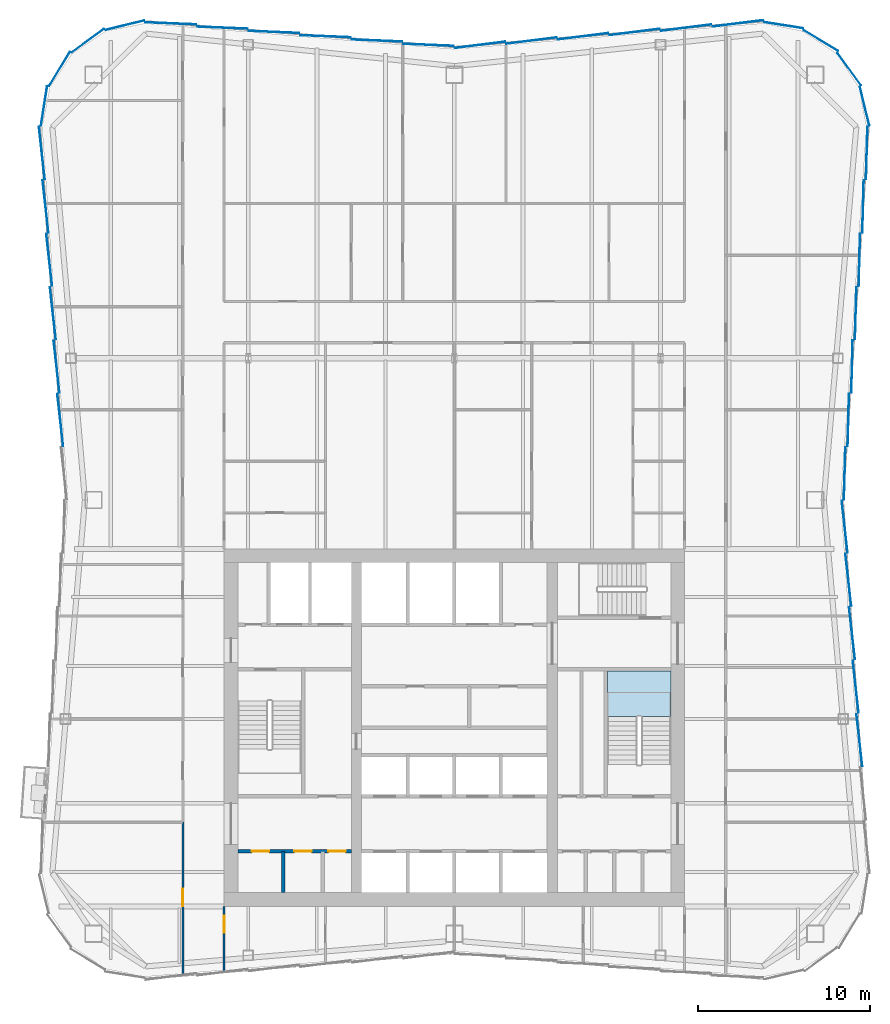
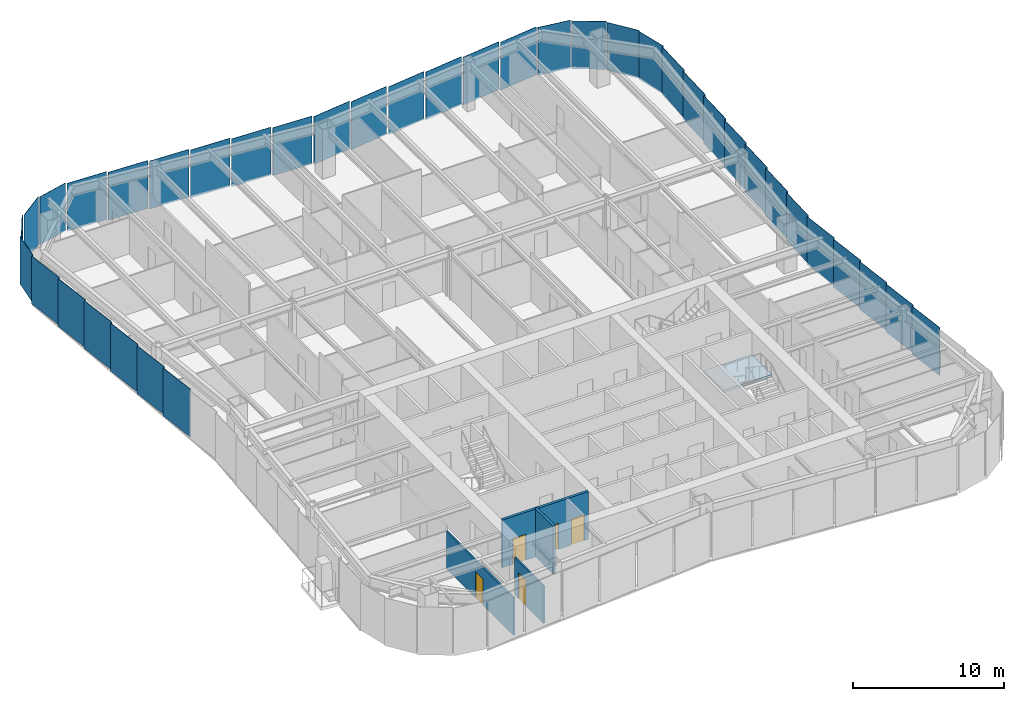
# One storey, part 5 of 12: 38 plates, 5 doors, 4 walls, 1 slab, 5 openings, 6 elements without a shape of their own.
"""IFC4 building model written with IfcOpenShell, lengths in metres."""

from ifc_helpers import new_model, si_unit, direction, frame, frame_2d, origin, origin_2d, place, context, subcontext, project, spatial, polyline, rectangle, outline, extrude, material, layer, layer_set, type_object, element, fill, aggregate, save


model = new_model("IFC4")

# Units and contexts
model_context = context("Model", 3, precision=1e-05, world=origin(), true_north=direction((0.0, 1.0)))
body_context = subcontext(model_context, "Body", "Model", "MODEL_VIEW")
ifc_project = project(units=[si_unit("LENGTHUNIT", "METRE"), si_unit("AREAUNIT", "SQUARE_METRE"), si_unit("VOLUMEUNIT", "CUBIC_METRE"), si_unit("PLANEANGLEUNIT", "RADIAN"), si_unit("MASSUNIT", "GRAM", prefix="KILO")], contexts=[model_context])

# Site, building, storey
site_placement = place(None, origin())
site = spatial("IfcSite", under=ifc_project, at=site_placement, CompositionType="ELEMENT")
building_placement = place(site_placement, origin())
building = spatial("IfcBuilding", under=site, at=building_placement, Name="Verdant Reach Tower", CompositionType="ELEMENT")
storey_placement = place(building_placement, frame((0.0, 0.0, 270.0)))
storey = spatial("IfcBuildingStorey", under=building, at=storey_placement, Name="L62", CompositionType="ELEMENT", Elevation=270.0)

# Stair, slab
ifc_material_1 = material(Name="Concrete C40/50", Category="concrete")
stair_type = type_object("IfcStairType", Name="CO-STAIR", PredefinedType="HALF_TURN_STAIR", material=ifc_material_1)
stair_placement = place(storey_placement, origin())
stair = element("IfcStair", 1, at=stair_placement, inside=storey, type_object=stair_type, Name="L62 Exit stair 2", PredefinedType="HALF_TURN_STAIR")
ifc_layer_1 = layer(ifc_material_1, 0.199951171875)
ifc_layer_set_1 = layer_set([ifc_layer_1], Name="CO-STAIR-LANDING")
slab_type = type_object("IfcSlabType", Name="CO-STAIR-LANDING", PredefinedType="LANDING", material=ifc_layer_set_1)
slab_placement = place(storey_placement, frame((0.0, 0.0, 1.800048828125)))
slab = element("IfcSlab", 2, at=slab_placement, type_object=slab_type, Name="ST-2 landing 1", PredefinedType="LANDING", context=body_context, shape_type="SweptSolid", body=[
    extrude(outline(polyline([(12.60009765625, 28.64990234375), (12.60009765625, 31.300048828125), (8.89990234375, 31.300048828125), (8.89990234375, 28.64990234375), (12.60009765625, 28.64990234375)])), origin(), (0.0, 0.0, 1.0), 0.199951171875),
])
aggregate(stair, [slab])

# Curtain wall, plates
ifc_material_2 = material(Name="Anodised aluminium", Category="aluminium")
curtain_wall_type = type_object("IfcCurtainWallType", Name="EN-CW SYSTEM Z4", PredefinedType="NOTDEFINED", material=ifc_material_2)
curtain_wall_1_placement = place(storey_placement, origin())
curtain_wall_1 = element("IfcCurtainWall", 3, at=curtain_wall_1_placement, inside=storey, type_object=curtain_wall_type, Name="Curtain wall east, L62", PredefinedType="NOTDEFINED")
ifc_material_3 = material(Name="Tinted glass with champagne spandrel", Category="glass")
ifc_layer_2 = layer(ifc_material_3, 0.031982421875)
ifc_layer_set_2 = layer_set([ifc_layer_2], Name="EN-PANEL CHAMPAGNE")
plate_type_1 = type_object("IfcPlateType", Name="EN-PANEL CHAMPAGNE", PredefinedType="CURTAIN_PANEL", material=ifc_layer_set_2)
plate_1_placement = place(storey_placement, frame((23.575927734375, 27.275634765625, -0.221923828125), z_axis=(0.0, 0.0, 1.0), x_axis=(-0.110518162674, 0.993874104562, 0.0)))
plate_1 = element("IfcPlate", 4, at=plate_1_placement, type_object=plate_type_1, Name="Glass panel east face part 1 3.1, L62", PredefinedType="CURTAIN_PANEL", context=body_context, shape_type="SweptSolid", body=[
    extrude(rectangle(XDim=3.050537109375, YDim=0.031982421875, at=origin_2d()), origin(), (0.0, 0.0, 1.0), 3.8720703125),
])
plate_2_placement = place(storey_placement, frame((23.1474609375, 49.01025390625, -0.221923828125), z_axis=(0.0, 0.0, 1.0), x_axis=(0.026965318308, 0.999636369691, 0.0)))
plate_2 = element("IfcPlate", 5, at=plate_2_placement, type_object=plate_type_1, Name="Glass panel east face part 2 3.1, L62", PredefinedType="CURTAIN_PANEL", context=body_context, shape_type="SweptSolid", body=[
    extrude(rectangle(XDim=3.050537109375, YDim=0.031982421875, at=origin_2d()), origin(), (0.0, 0.0, 1.0), 3.8720703125),
])
plate_3_placement = place(storey_placement, frame((23.36181640625, 52.1171875, -0.221923828125), z_axis=(0.0, 0.0, 1.0), x_axis=(0.026965318308, 0.999636369691, 0.0)))
plate_3 = element("IfcPlate", 6, at=plate_3_placement, type_object=plate_type_1, Name="Glass panel east face part 2 4.1, L62", PredefinedType="CURTAIN_PANEL", context=body_context, shape_type="SweptSolid", body=[
    extrude(rectangle(XDim=3.050537109375, YDim=0.031982421875, at=origin_2d()), origin(), (0.0, 0.0, 1.0), 3.8720703125),
])
plate_4_placement = place(storey_placement, frame((23.575927734375, 55.224365234375, -0.221923828125), z_axis=(0.0, 0.0, 1.0), x_axis=(0.026965318308, 0.999636369691, 0.0)))
plate_4 = element("IfcPlate", 7, at=plate_4_placement, type_object=plate_type_1, Name="Glass panel east face part 2 5.1, L62", PredefinedType="CURTAIN_PANEL", context=body_context, shape_type="SweptSolid", body=[
    extrude(rectangle(XDim=3.050537109375, YDim=0.031982421875, at=origin_2d()), origin(), (0.0, 0.0, 1.0), 3.8720703125),
])

curtain_wall_2_placement = place(storey_placement, origin())
curtain_wall_2 = element("IfcCurtainWall", 8, at=curtain_wall_2_placement, inside=storey, type_object=curtain_wall_type, Name="Curtain wall north-east corner, L62", PredefinedType="NOTDEFINED")
plate_5_placement = place(storey_placement, frame((22.984375, 66.330322265625, -0.221923828125), z_axis=(0.0, 0.0, 1.0), x_axis=(-0.589926737254, 0.80745677573, 0.0)))
plate_5 = element("IfcPlate", 9, at=plate_5_placement, type_object=plate_type_1, Name="Glass panel north-east corner 2.1, L62", PredefinedType="CURTAIN_PANEL", context=body_context, shape_type="SweptSolid", body=[
    extrude(rectangle(XDim=2.32080078125, YDim=0.031982421875, at=origin_2d()), origin(), (0.0, 0.0, 1.0), 3.8720703125),
])
plate_6_placement = place(storey_placement, frame((21.330322265625, 67.984375, -0.221923828125), z_axis=(0.0, 0.0, 1.0), x_axis=(-0.853988708265, 0.520291539577, 0.0)))
plate_6 = element("IfcPlate", 10, at=plate_6_placement, type_object=plate_type_1, Name="Glass panel north-east corner 3.1, L62", PredefinedType="CURTAIN_PANEL", context=body_context, shape_type="SweptSolid", body=[
    extrude(rectangle(XDim=2.32080078125, YDim=0.031982421875, at=origin_2d()), origin(), (0.0, 0.0, 1.0), 3.8720703125),
])

curtain_wall_3_placement = place(storey_placement, origin())
curtain_wall_3 = element("IfcCurtainWall", 11, at=curtain_wall_3_placement, inside=storey, type_object=curtain_wall_type, Name="Curtain wall north, L62", PredefinedType="NOTDEFINED")
plate_7_placement = place(storey_placement, frame((16.49853515625, 68.98681640625, -0.221923828125), z_axis=(0.0, 0.0, 1.0), x_axis=(-0.992238962139, -0.124345655383, 0.0)))
plate_7 = element("IfcPlate", 12, at=plate_7_placement, type_object=plate_type_1, Name="Glass panel north face part 1 1.1, L62", PredefinedType="CURTAIN_PANEL", context=body_context, shape_type="SweptSolid", body=[
    extrude(rectangle(XDim=2.9619140625, YDim=0.031982421875, at=origin_2d()), origin(), (0.0, 0.0, 1.0), 3.8720703125),
])
plate_8_placement = place(storey_placement, frame((-1.495361328125, 67.73681640625, -0.221923828125), z_axis=(0.0, 0.0, 1.0), x_axis=(-0.999143877249, 0.041370430933, 0.0)))
plate_8 = element("IfcPlate", 13, at=plate_8_placement, type_object=plate_type_1, Name="Glass panel north face part 2 1.1, L62", PredefinedType="CURTAIN_PANEL", context=body_context, shape_type="SweptSolid", body=[
    extrude(rectangle(XDim=2.93701171875, YDim=0.031982421875, at=origin_2d()), origin(), (0.0, 0.0, 1.0), 3.8720703125),
])
plate_9_placement = place(storey_placement, frame((-4.49072265625, 67.986572265625, -0.221923828125), z_axis=(0.0, 0.0, 1.0), x_axis=(-0.999149202059, 0.041241629766, 0.0)))
plate_9 = element("IfcPlate", 14, at=plate_9_placement, type_object=plate_type_1, Name="Glass panel north face part 2 2.1, L62", PredefinedType="CURTAIN_PANEL", context=body_context, shape_type="SweptSolid", body=[
    extrude(rectangle(XDim=2.9462890625, YDim=0.031982421875, at=origin_2d()), origin(), (0.0, 0.0, 1.0), 3.8720703125),
])
plate_10_placement = place(storey_placement, frame((-7.49072265625, 68.236572265625, -0.221923828125), z_axis=(0.0, 0.0, 1.0), x_axis=(-0.999149202059, 0.041241629766, 0.0)))
plate_10 = element("IfcPlate", 15, at=plate_10_placement, type_object=plate_type_1, Name="Glass panel north face part 2 3.1, L62", PredefinedType="CURTAIN_PANEL", context=body_context, shape_type="SweptSolid", body=[
    extrude(rectangle(XDim=2.9462890625, YDim=0.031982421875, at=origin_2d()), origin(), (0.0, 0.0, 1.0), 3.8720703125),
])

# Curtain wall, plate
curtain_wall_4_placement = place(storey_placement, origin())
curtain_wall_4 = element("IfcCurtainWall", 16, at=curtain_wall_4_placement, inside=storey, type_object=curtain_wall_type, Name="Curtain wall north-west corner, L62", PredefinedType="NOTDEFINED")
plate_11_placement = place(storey_placement, frame((-19.172607421875, 68.87939453125, -0.221923828125), z_axis=(0.0, 0.0, 1.0), x_axis=(-0.971652337104, -0.236414330786, 0.0)))
plate_11 = element("IfcPlate", 17, at=plate_11_placement, type_object=plate_type_1, Name="Glass panel north-west corner 1.1, L62", PredefinedType="CURTAIN_PANEL", context=body_context, shape_type="SweptSolid", body=[
    extrude(rectangle(XDim=2.314453125, YDim=0.031982421875, at=origin_2d()), origin(), (0.0, 0.0, 1.0), 3.8720703125),
])

curtain_wall_5_placement = place(storey_placement, origin())
curtain_wall_5 = element("IfcCurtainWall", 18, at=curtain_wall_5_placement, inside=storey, type_object=curtain_wall_type, Name="Curtain wall west, L62", PredefinedType="NOTDEFINED")
plate_12_placement = place(storey_placement, frame((-22.93310546875, 45.903076171875, -0.221923828125), z_axis=(0.0, 0.0, 1.0), x_axis=(0.110518162674, -0.993874104562, 0.0)))
plate_12 = element("IfcPlate", 19, at=plate_12_placement, type_object=plate_type_1, Name="Glass panel west face part 1 6.1, L62", PredefinedType="CURTAIN_PANEL", context=body_context, shape_type="SweptSolid", body=[
    extrude(rectangle(XDim=3.050537109375, YDim=0.031982421875, at=origin_2d()), origin(), (0.0, 0.0, 1.0), 3.8720703125),
])

# Plate
ifc_material_4 = material(Name="Tinted glass with copper spandrel", Category="glass")
ifc_layer_3 = layer(ifc_material_4, 0.031982421875)
ifc_layer_set_3 = layer_set([ifc_layer_3], Name="EN-PANEL COPPER")
plate_type_2 = type_object("IfcPlateType", Name="EN-PANEL COPPER", PredefinedType="CURTAIN_PANEL", material=ifc_layer_set_3)
plate_13_placement = place(storey_placement, frame((23.36181640625, 30.3828125, -0.221923828125), z_axis=(0.0, 0.0, 1.0), x_axis=(-0.110518162674, 0.993874104562, 0.0)))
plate_13 = element("IfcPlate", 20, at=plate_13_placement, type_object=plate_type_2, Name="Glass panel east face part 1 4.1, L62", PredefinedType="CURTAIN_PANEL", context=body_context, shape_type="SweptSolid", body=[
    extrude(rectangle(XDim=3.050537109375, YDim=0.031982421875, at=origin_2d()), origin(), (0.0, 0.0, 1.0), 3.8720703125),
])

plate_14_placement = place(storey_placement, frame((23.1474609375, 33.48974609375, -0.221923828125), z_axis=(0.0, 0.0, 1.0), x_axis=(-0.110518162674, 0.993874104562, 0.0)))
plate_14 = element("IfcPlate", 21, at=plate_14_placement, type_object=plate_type_2, Name="Glass panel east face part 1 5.1, L62", PredefinedType="CURTAIN_PANEL", context=body_context, shape_type="SweptSolid", body=[
    extrude(rectangle(XDim=3.050537109375, YDim=0.031982421875, at=origin_2d()), origin(), (0.0, 0.0, 1.0), 3.8720703125),
])

plate_15_placement = place(storey_placement, frame((22.93310546875, 36.596923828125, -0.221923828125), z_axis=(0.0, 0.0, 1.0), x_axis=(-0.110518162674, 0.993874104562, 0.0)))
plate_15 = element("IfcPlate", 22, at=plate_15_placement, type_object=plate_type_2, Name="Glass panel east face part 1 6.1, L62", PredefinedType="CURTAIN_PANEL", context=body_context, shape_type="SweptSolid", body=[
    extrude(rectangle(XDim=3.050537109375, YDim=0.031982421875, at=origin_2d()), origin(), (0.0, 0.0, 1.0), 3.8720703125),
])

plate_16_placement = place(storey_placement, frame((23.790283203125, 58.33154296875, -0.221923828125), z_axis=(0.0, 0.0, 1.0), x_axis=(0.026965318308, 0.999636369691, 0.0)))
plate_16 = element("IfcPlate", 23, at=plate_16_placement, type_object=plate_type_2, Name="Glass panel east face part 2 6.1, L62", PredefinedType="CURTAIN_PANEL", context=body_context, shape_type="SweptSolid", body=[
    extrude(rectangle(XDim=3.050537109375, YDim=0.031982421875, at=origin_2d()), origin(), (0.0, 0.0, 1.0), 3.8720703125),
])

plate_17_placement = place(storey_placement, frame((24.004638671875, 61.446044921875, -0.221923828125), z_axis=(0.0, 0.0, 1.0), x_axis=(0.026651253217, 0.999644792265, 0.0)))
plate_17 = element("IfcPlate", 24, at=plate_17_placement, type_object=plate_type_2, Name="Glass panel east face part 2 7.1, L62", PredefinedType="CURTAIN_PANEL", context=body_context, shape_type="SweptSolid", body=[
    extrude(rectangle(XDim=3.0654296875, YDim=0.031982421875, at=origin_2d()), origin(), (0.0, 0.0, 1.0), 3.8720703125),
])

plate_18_placement = place(storey_placement, frame((19.172607421875, 68.87939453125, -0.221923828125), z_axis=(0.0, 0.0, 1.0), x_axis=(-0.98802725693, 0.154279420415, 0.0)))
plate_18 = element("IfcPlate", 25, at=plate_18_placement, type_object=plate_type_2, Name="Glass panel north-east corner 4.1, L62", PredefinedType="CURTAIN_PANEL", context=body_context, shape_type="SweptSolid", body=[
    extrude(rectangle(XDim=2.314453125, YDim=0.031982421875, at=origin_2d()), origin(), (0.0, 0.0, 1.0), 3.8720703125),
])

plate_19_placement = place(storey_placement, frame((13.49072265625, 68.736572265625, -0.221923828125), z_axis=(0.0, 0.0, 1.0), x_axis=(-0.992194034542, -0.124703639961, 0.0)))
plate_19 = element("IfcPlate", 26, at=plate_19_placement, type_object=plate_type_2, Name="Glass panel north face part 1 2.1, L62", PredefinedType="CURTAIN_PANEL", context=body_context, shape_type="SweptSolid", body=[
    extrude(rectangle(XDim=2.9462890625, YDim=0.031982421875, at=origin_2d()), origin(), (0.0, 0.0, 1.0), 3.8720703125),
])

plate_20_placement = place(storey_placement, frame((10.49072265625, 68.486572265625, -0.221923828125), z_axis=(0.0, 0.0, 1.0), x_axis=(-0.992194034542, -0.124703639961, 0.0)))
plate_20 = element("IfcPlate", 27, at=plate_20_placement, type_object=plate_type_2, Name="Glass panel north face part 1 3.1, L62", PredefinedType="CURTAIN_PANEL", context=body_context, shape_type="SweptSolid", body=[
    extrude(rectangle(XDim=2.9462890625, YDim=0.031982421875, at=origin_2d()), origin(), (0.0, 0.0, 1.0), 3.8720703125),
])

plate_21_placement = place(storey_placement, frame((7.49072265625, 68.236572265625, -0.221923828125), z_axis=(0.0, 0.0, 1.0), x_axis=(-0.992194034542, -0.124703639961, 0.0)))
plate_21 = element("IfcPlate", 28, at=plate_21_placement, type_object=plate_type_2, Name="Glass panel north face part 1 4.1, L62", PredefinedType="CURTAIN_PANEL", context=body_context, shape_type="SweptSolid", body=[
    extrude(rectangle(XDim=2.9462890625, YDim=0.031982421875, at=origin_2d()), origin(), (0.0, 0.0, 1.0), 3.8720703125),
])

plate_22_placement = place(storey_placement, frame((-10.49072265625, 68.486572265625, -0.221923828125), z_axis=(0.0, 0.0, 1.0), x_axis=(-0.999149202059, 0.041241629766, 0.0)))
plate_22 = element("IfcPlate", 29, at=plate_22_placement, type_object=plate_type_2, Name="Glass panel north face part 2 4.1, L62", PredefinedType="CURTAIN_PANEL", context=body_context, shape_type="SweptSolid", body=[
    extrude(rectangle(XDim=2.9462890625, YDim=0.031982421875, at=origin_2d()), origin(), (0.0, 0.0, 1.0), 3.8720703125),
])

plate_23_placement = place(storey_placement, frame((-13.49072265625, 68.736572265625, -0.221923828125), z_axis=(0.0, 0.0, 1.0), x_axis=(-0.999149202059, 0.041241629766, 0.0)))
plate_23 = element("IfcPlate", 30, at=plate_23_placement, type_object=plate_type_2, Name="Glass panel north face part 2 5.1, L62", PredefinedType="CURTAIN_PANEL", context=body_context, shape_type="SweptSolid", body=[
    extrude(rectangle(XDim=2.9462890625, YDim=0.031982421875, at=origin_2d()), origin(), (0.0, 0.0, 1.0), 3.8720703125),
])

plate_24_placement = place(storey_placement, frame((-21.330322265625, 67.984375, -0.221923828125), z_axis=(0.0, 0.0, 1.0), x_axis=(-0.80745677573, -0.589926737254, 0.0)))
plate_24 = element("IfcPlate", 31, at=plate_24_placement, type_object=plate_type_2, Name="Glass panel north-west corner 2.1, L62", PredefinedType="CURTAIN_PANEL", context=body_context, shape_type="SweptSolid", body=[
    extrude(rectangle(XDim=2.32080078125, YDim=0.031982421875, at=origin_2d()), origin(), (0.0, 0.0, 1.0), 3.8720703125),
])

plate_25_placement = place(storey_placement, frame((-22.984375, 66.330322265625, -0.221923828125), z_axis=(0.0, 0.0, 1.0), x_axis=(-0.520291539577, -0.853988708265, 0.0)))
plate_25 = element("IfcPlate", 32, at=plate_25_placement, type_object=plate_type_2, Name="Glass panel north-west corner 3.1, L62", PredefinedType="CURTAIN_PANEL", context=body_context, shape_type="SweptSolid", body=[
    extrude(rectangle(XDim=2.32080078125, YDim=0.031982421875, at=origin_2d()), origin(), (0.0, 0.0, 1.0), 3.8720703125),
])

plate_26_placement = place(storey_placement, frame((-23.87939453125, 64.173095703125, -0.221923828125), z_axis=(0.0, 0.0, 1.0), x_axis=(-0.154324690427, -0.988020187003, 0.0)))
plate_26 = element("IfcPlate", 33, at=plate_26_placement, type_object=plate_type_2, Name="Glass panel north-west corner 4.1, L62", PredefinedType="CURTAIN_PANEL", context=body_context, shape_type="SweptSolid", body=[
    extrude(rectangle(XDim=2.313720703125, YDim=0.031982421875, at=origin_2d()), origin(), (0.0, 0.0, 1.0), 3.8720703125),
])

aggregate(curtain_wall_4, [plate_11, plate_24, plate_25, plate_26])

plate_27_placement = place(storey_placement, frame((-24.004638671875, 61.446044921875, -0.221923828125), z_axis=(0.0, 0.0, 1.0), x_axis=(0.110205903836, -0.993908777886, 0.0)))
plate_27 = element("IfcPlate", 34, at=plate_27_placement, type_object=plate_type_2, Name="Glass panel west face part 1 1.1, L62", PredefinedType="CURTAIN_PANEL", context=body_context, shape_type="SweptSolid", body=[
    extrude(rectangle(XDim=3.0654296875, YDim=0.031982421875, at=origin_2d()), origin(), (0.0, 0.0, 1.0), 3.8720703125),
])

plate_28_placement = place(storey_placement, frame((-23.790283203125, 58.33154296875, -0.221923828125), z_axis=(0.0, 0.0, 1.0), x_axis=(0.110518162674, -0.993874104562, 0.0)))
plate_28 = element("IfcPlate", 35, at=plate_28_placement, type_object=plate_type_2, Name="Glass panel west face part 1 2.1, L62", PredefinedType="CURTAIN_PANEL", context=body_context, shape_type="SweptSolid", body=[
    extrude(rectangle(XDim=3.050537109375, YDim=0.031982421875, at=origin_2d()), origin(), (0.0, 0.0, 1.0), 3.8720703125),
])

ifc_material_5 = material(Name="Tinted glass with dark bronze spandrel", Category="glass")
ifc_layer_4 = layer(ifc_material_5, 0.031982421875)
ifc_layer_set_4 = layer_set([ifc_layer_4], Name="EN-PANEL DARK")
plate_type_3 = type_object("IfcPlateType", Name="EN-PANEL DARK", PredefinedType="CURTAIN_PANEL", material=ifc_layer_set_4)
plate_29_placement = place(storey_placement, frame((22.718994140625, 39.7001953125, -0.221923828125), z_axis=(0.0, 0.0, 1.0), x_axis=(-0.110603065042, 0.993864659802, 0.0)))
plate_29 = element("IfcPlate", 36, at=plate_29_placement, type_object=plate_type_3, Name="Glass panel east face part 1 7.1, L62", PredefinedType="CURTAIN_PANEL", context=body_context, shape_type="SweptSolid", body=[
    extrude(rectangle(XDim=3.042724609375, YDim=0.031982421875, at=origin_2d()), origin(), (0.0, 0.0, 1.0), 3.8720703125),
])

plate_30_placement = place(storey_placement, frame((22.718994140625, 42.7998046875, -0.221923828125), z_axis=(0.0, 0.0, 1.0), x_axis=(0.027050713229, 0.999634062502, 0.0)))
plate_30 = element("IfcPlate", 37, at=plate_30_placement, type_object=plate_type_3, Name="Glass panel east face part 2 1.1, L62", PredefinedType="CURTAIN_PANEL", context=body_context, shape_type="SweptSolid", body=[
    extrude(rectangle(XDim=3.042724609375, YDim=0.031982421875, at=origin_2d()), origin(), (0.0, 0.0, 1.0), 3.8720703125),
])

plate_31_placement = place(storey_placement, frame((22.93310546875, 45.903076171875, -0.221923828125), z_axis=(0.0, 0.0, 1.0), x_axis=(0.026965318308, 0.999636369691, 0.0)))
plate_31 = element("IfcPlate", 38, at=plate_31_placement, type_object=plate_type_3, Name="Glass panel east face part 2 2.1, L62", PredefinedType="CURTAIN_PANEL", context=body_context, shape_type="SweptSolid", body=[
    extrude(rectangle(XDim=3.050537109375, YDim=0.031982421875, at=origin_2d()), origin(), (0.0, 0.0, 1.0), 3.8720703125),
])

aggregate(curtain_wall_1, [plate_1, plate_13, plate_14, plate_15, plate_29, plate_30, plate_31, plate_2, plate_3, plate_4, plate_16, plate_17])

plate_32_placement = place(storey_placement, frame((23.87939453125, 64.173095703125, -0.221923828125), z_axis=(0.0, 0.0, 1.0), x_axis=(-0.236458850433, 0.971641503875, 0.0)))
plate_32 = element("IfcPlate", 39, at=plate_32_placement, type_object=plate_type_3, Name="Glass panel north-east corner 1.1, L62", PredefinedType="CURTAIN_PANEL", context=body_context, shape_type="SweptSolid", body=[
    extrude(rectangle(XDim=2.313720703125, YDim=0.031982421875, at=origin_2d()), origin(), (0.0, 0.0, 1.0), 3.8720703125),
])

aggregate(curtain_wall_2, [plate_32, plate_5, plate_6, plate_18])

plate_33_placement = place(storey_placement, frame((4.49072265625, 67.986572265625, -0.221923828125), z_axis=(0.0, 0.0, 1.0), x_axis=(-0.992194034542, -0.124703639961, 0.0)))
plate_33 = element("IfcPlate", 40, at=plate_33_placement, type_object=plate_type_3, Name="Glass panel north face part 1 5.1, L62", PredefinedType="CURTAIN_PANEL", context=body_context, shape_type="SweptSolid", body=[
    extrude(rectangle(XDim=2.9462890625, YDim=0.031982421875, at=origin_2d()), origin(), (0.0, 0.0, 1.0), 3.8720703125),
])

plate_34_placement = place(storey_placement, frame((1.495361328125, 67.73681640625, -0.221923828125), z_axis=(0.0, 0.0, 1.0), x_axis=(-0.992177950603, -0.124831543836, 0.0)))
plate_34 = element("IfcPlate", 41, at=plate_34_placement, type_object=plate_type_3, Name="Glass panel north face part 1 6.1, L62", PredefinedType="CURTAIN_PANEL", context=body_context, shape_type="SweptSolid", body=[
    extrude(rectangle(XDim=2.93701171875, YDim=0.031982421875, at=origin_2d()), origin(), (0.0, 0.0, 1.0), 3.8720703125),
])

plate_35_placement = place(storey_placement, frame((-16.49853515625, 68.98681640625, -0.221923828125), z_axis=(0.0, 0.0, 1.0), x_axis=(-0.999164016711, 0.040881141246, 0.0)))
plate_35 = element("IfcPlate", 42, at=plate_35_placement, type_object=plate_type_3, Name="Glass panel north face part 2 6.1, L62", PredefinedType="CURTAIN_PANEL", context=body_context, shape_type="SweptSolid", body=[
    extrude(rectangle(XDim=2.9619140625, YDim=0.031982421875, at=origin_2d()), origin(), (0.0, 0.0, 1.0), 3.8720703125),
])

aggregate(curtain_wall_3, [plate_7, plate_19, plate_20, plate_21, plate_33, plate_34, plate_8, plate_9, plate_10, plate_22, plate_23, plate_35])

plate_36_placement = place(storey_placement, frame((-23.575927734375, 55.224365234375, -0.221923828125), z_axis=(0.0, 0.0, 1.0), x_axis=(0.110518162674, -0.993874104562, 0.0)))
plate_36 = element("IfcPlate", 43, at=plate_36_placement, type_object=plate_type_3, Name="Glass panel west face part 1 3.1, L62", PredefinedType="CURTAIN_PANEL", context=body_context, shape_type="SweptSolid", body=[
    extrude(rectangle(XDim=3.050537109375, YDim=0.031982421875, at=origin_2d()), origin(), (0.0, 0.0, 1.0), 3.8720703125),
])

plate_37_placement = place(storey_placement, frame((-23.36181640625, 52.1171875, -0.221923828125), z_axis=(0.0, 0.0, 1.0), x_axis=(0.110518162674, -0.993874104562, 0.0)))
plate_37 = element("IfcPlate", 44, at=plate_37_placement, type_object=plate_type_3, Name="Glass panel west face part 1 4.1, L62", PredefinedType="CURTAIN_PANEL", context=body_context, shape_type="SweptSolid", body=[
    extrude(rectangle(XDim=3.050537109375, YDim=0.031982421875, at=origin_2d()), origin(), (0.0, 0.0, 1.0), 3.8720703125),
])

plate_38_placement = place(storey_placement, frame((-23.1474609375, 49.01025390625, -0.221923828125), z_axis=(0.0, 0.0, 1.0), x_axis=(0.110518162674, -0.993874104562, 0.0)))
plate_38 = element("IfcPlate", 45, at=plate_38_placement, type_object=plate_type_3, Name="Glass panel west face part 1 5.1, L62", PredefinedType="CURTAIN_PANEL", context=body_context, shape_type="SweptSolid", body=[
    extrude(rectangle(XDim=3.050537109375, YDim=0.031982421875, at=origin_2d()), origin(), (0.0, 0.0, 1.0), 3.8720703125),
])

aggregate(curtain_wall_5, [plate_27, plate_28, plate_36, plate_37, plate_38, plate_12])

# Wall, openings, doors
ifc_material_6 = material(Name="Gypsum board on steel studs", Category="steel")
ifc_layer_5 = layer(ifc_material_6, 0.199951171875)
ifc_layer_set_5 = layer_set([ifc_layer_5], Name="CO-WALL-ROOM")
wall_type_1 = type_object("IfcWallType", Name="CO-WALL-ROOM", PredefinedType="PARTITIONING", material=ifc_layer_set_5)
wall_1_placement = place(storey_placement, frame((-12.60009765625, 20.800048828125, 0.0), z_axis=(0.0, 0.0, 1.0), x_axis=(1.0, 0.0, 0.0)))
wall_1 = element("IfcWall", 46, at=wall_1_placement, inside=storey, type_object=wall_type_1, Name="Core partition, L62", PredefinedType="PARTITIONING", context=body_context, shape_type="SweptSolid", body=[
    extrude(rectangle(XDim=6.60009765625, YDim=0.199951171875, at=frame_2d((3.300048828125, 0.0))), origin(), (0.0, 0.0, 1.0), 3.8701171875),
])
opening_1_placement = place(wall_1_placement, frame((0.820068359375, 0.0, 0.0)))
opening_1 = element("IfcOpeningElement", 47, at=opening_1_placement, cuts=wall_1, Name="Opening CD", PredefinedType="OPENING", context=body_context, shape_type="SweptSolid", body=[
    extrude(rectangle(XDim=1.0, YDim=2.10009765625, at=frame_2d((0.5, 1.050048828125))), frame((0.0, 0.10986328125, 0.0), z_axis=(0.0, -1.0, 0.0), x_axis=(1.0, 0.0, 0.0)), (0.0, 0.0, 1.0), 0.219970703125),
])
opening_2_placement = place(wall_1_placement, frame((3.294921875, 0.0, 0.0)))
opening_2 = element("IfcOpeningElement", 48, at=opening_2_placement, cuts=wall_1, Name="Opening CD", PredefinedType="OPENING", context=body_context, shape_type="SweptSolid", body=[
    extrude(rectangle(XDim=1.0, YDim=2.10009765625, at=frame_2d((0.5, 1.050048828125))), frame((0.0, 0.10986328125, 0.0), z_axis=(0.0, -1.0, 0.0), x_axis=(1.0, 0.0, 0.0)), (0.0, 0.0, 1.0), 0.219970703125),
])
opening_3_placement = place(wall_1_placement, frame((5.27490234375, 0.0, 0.0)))
opening_3 = element("IfcOpeningElement", 49, at=opening_3_placement, cuts=wall_1, Name="Opening CD", PredefinedType="OPENING", context=body_context, shape_type="SweptSolid", body=[
    extrude(rectangle(XDim=1.0, YDim=2.10009765625, at=frame_2d((0.5, 1.050048828125))), frame((0.0, 0.10986328125, 0.0), z_axis=(0.0, -1.0, 0.0), x_axis=(1.0, 0.0, 0.0)), (0.0, 0.0, 1.0), 0.219970703125),
])
ifc_material_7 = material(Name="Timber", Category="wood")
door_type_1 = type_object("IfcDoorType", Name="CO-DOOR-ROOM", OperationType="NOTDEFINED", PredefinedType="DOOR", material=ifc_material_7)
door_1_placement = place(opening_1_placement, origin())
door_1 = element("IfcDoor", 50, at=door_1_placement, inside=storey, type_object=door_type_1, Name="Core room door, L62", OperationType="SINGLE_SWING_LEFT", OverallHeight=2.10009765625, OverallWidth=1.0, PredefinedType="DOOR", context=body_context, shape_type="SweptSolid", body=[
    extrude(rectangle(XDim=1.0, YDim=2.10009765625, at=frame_2d((0.5, 1.050048828125))), frame((0.0, 0.02490234375, 0.0), z_axis=(0.0, -1.0, 0.0), x_axis=(1.0, 0.0, 0.0)), (0.0, 0.0, 1.0), 0.050048828125),
])
fill(opening_1, door_1)
door_2_placement = place(opening_2_placement, origin())
door_2 = element("IfcDoor", 51, at=door_2_placement, inside=storey, type_object=door_type_1, Name="Core room door, L62", OperationType="SINGLE_SWING_LEFT", OverallHeight=2.10009765625, OverallWidth=1.0, PredefinedType="DOOR", context=body_context, shape_type="SweptSolid", body=[
    extrude(rectangle(XDim=1.0, YDim=2.10009765625, at=frame_2d((0.5, 1.050048828125))), frame((0.0, 0.02490234375, 0.0), z_axis=(0.0, -1.0, 0.0), x_axis=(1.0, 0.0, 0.0)), (0.0, 0.0, 1.0), 0.050048828125),
])
fill(opening_2, door_2)
door_3_placement = place(opening_3_placement, origin())
door_3 = element("IfcDoor", 52, at=door_3_placement, inside=storey, type_object=door_type_1, Name="Core room door, L62", OperationType="SINGLE_SWING_RIGHT", OverallHeight=2.10009765625, OverallWidth=1.0, PredefinedType="DOOR", context=body_context, shape_type="SweptSolid", body=[
    extrude(rectangle(XDim=1.0, YDim=2.10009765625, at=frame_2d((0.5, 1.050048828125))), frame((0.0, 0.02490234375, 0.0), z_axis=(0.0, -1.0, 0.0), x_axis=(1.0, 0.0, 0.0)), (0.0, 0.0, 1.0), 0.050048828125),
])
fill(opening_3, door_3)

# Wall
wall_2_placement = place(storey_placement, frame((-9.9599609375, 18.39990234375, 0.0), z_axis=(0.0, 0.0, 1.0), x_axis=(0.0, 1.0, 0.0)))
element("IfcWall", 53, at=wall_2_placement, inside=storey, type_object=wall_type_1, Name="Core partition, L62", PredefinedType="PARTITIONING", context=body_context, shape_type="SweptSolid", body=[
    extrude(rectangle(XDim=2.400146484375, YDim=0.199951171875, at=frame_2d((1.2001953125, 0.0))), origin(), (0.0, 0.0, 1.0), 3.8701171875),
])

# Wall, opening, door
ifc_material_8 = material(Name="Gypsum board on steel studs, fire rated", Category="steel")
ifc_layer_6 = layer(ifc_material_8, 0.125)
ifc_layer_set_6 = layer_set([ifc_layer_6], Name="FL-W2 Corridor wall 125")
wall_type_2 = type_object("IfcWallType", Name="FL-W2 Corridor wall 125", PredefinedType="PARTITIONING", material=ifc_layer_set_6)
wall_3_placement = place(storey_placement, frame((-15.800048828125, 13.603271484375, 0.0), z_axis=(0.0, 0.0, 1.0), x_axis=(0.0, 1.0, 0.0)))
wall_3 = element("IfcWall", 54, at=wall_3_placement, inside=storey, type_object=wall_type_2, Name="Partition 62.01", PredefinedType="PARTITIONING", context=body_context, shape_type="SweptSolid", body=[
    extrude(rectangle(XDim=8.896728515625, YDim=0.125, at=frame_2d((4.4482421875, 0.0))), origin(), (0.0, 0.0, 1.0), 3.0400390625),
])
opening_4_placement = place(wall_3_placement, frame((4.013427734375, 0.0, 0.0)))
opening_4 = element("IfcOpeningElement", 55, at=opening_4_placement, cuts=wall_3, Name="Opening D2", PredefinedType="OPENING", context=body_context, shape_type="SweptSolid", body=[
    extrude(rectangle(XDim=1.0, YDim=2.10009765625, at=frame_2d((0.5, 1.050048828125))), frame((0.0, 0.072509765625, 0.0), z_axis=(0.0, -1.0, 0.0), x_axis=(1.0, 0.0, 0.0)), (0.0, 0.0, 1.0), 0.14501953125),
])
ifc_material_9 = material(Name="Timber door leaf, fire rated", Category="wood")
door_type_2 = type_object("IfcDoorType", Name="FL-D2 Entrance door 1000x2100 FD30", OperationType="NOTDEFINED", PredefinedType="DOOR", material=ifc_material_9)
door_4_placement = place(opening_4_placement, origin())
door_4 = element("IfcDoor", 56, at=door_4_placement, inside=storey, type_object=door_type_2, Name="Door 62-001", OperationType="SINGLE_SWING_RIGHT", OverallHeight=2.10009765625, OverallWidth=1.0, PredefinedType="DOOR", context=body_context, shape_type="SweptSolid", body=[
    extrude(rectangle(XDim=1.0, YDim=2.10009765625, at=frame_2d((0.5, 1.050048828125))), frame((0.0, 0.02490234375, 0.0), z_axis=(0.0, -1.0, 0.0), x_axis=(1.0, 0.0, 0.0)), (0.0, 0.0, 1.0), 0.050048828125),
])
fill(opening_4, door_4)

wall_4_placement = place(storey_placement, frame((-13.39990234375, 17.60009765625, 0.0), z_axis=(0.0, 0.0, 1.0), x_axis=(0.0, -1.0, 0.0)))
wall_4 = element("IfcWall", 57, at=wall_4_placement, inside=storey, type_object=wall_type_2, Name="Partition 62.18", PredefinedType="PARTITIONING", context=body_context, shape_type="SweptSolid", body=[
    extrude(rectangle(XDim=3.796875, YDim=0.125, at=frame_2d((1.8984375, 0.0))), origin(), (0.0, 0.0, 1.0), 3.0400390625),
])
opening_5_placement = place(wall_4_placement, frame((0.533203125, 0.0, 0.0)))
opening_5 = element("IfcOpeningElement", 58, at=opening_5_placement, cuts=wall_4, Name="Opening D2", PredefinedType="OPENING", context=body_context, shape_type="SweptSolid", body=[
    extrude(rectangle(XDim=1.0, YDim=2.10009765625, at=frame_2d((0.5, 1.050048828125))), frame((0.0, 0.072509765625, 0.0), z_axis=(0.0, -1.0, 0.0), x_axis=(1.0, 0.0, 0.0)), (0.0, 0.0, 1.0), 0.14501953125),
])
door_5_placement = place(opening_5_placement, origin())
door_5 = element("IfcDoor", 59, at=door_5_placement, inside=storey, type_object=door_type_2, Name="Door 62-018", OperationType="SINGLE_SWING_LEFT", OverallHeight=2.10009765625, OverallWidth=1.0, PredefinedType="DOOR", context=body_context, shape_type="SweptSolid", body=[
    extrude(rectangle(XDim=1.0, YDim=2.10009765625, at=frame_2d((0.5, 1.050048828125))), frame((0.0, 0.02490234375, 0.0), z_axis=(0.0, -1.0, 0.0), x_axis=(1.0, 0.0, 0.0)), (0.0, 0.0, 1.0), 0.050048828125),
])
fill(opening_5, door_5)

save(model, "model.ifc")
